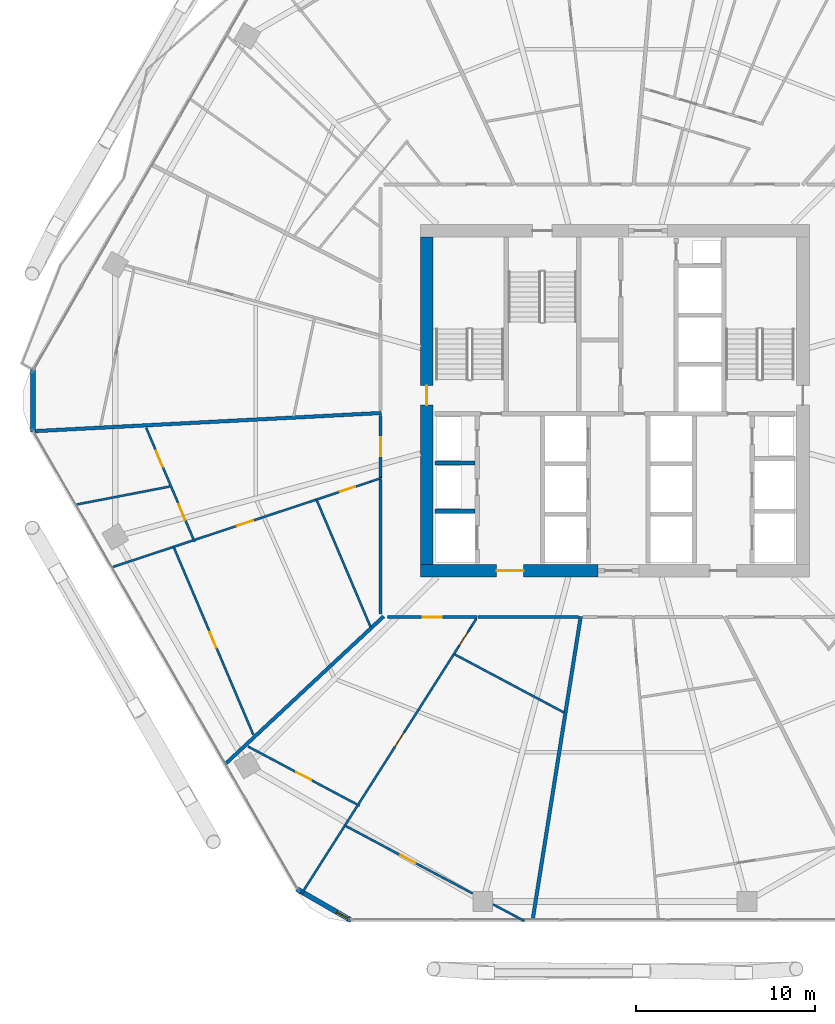
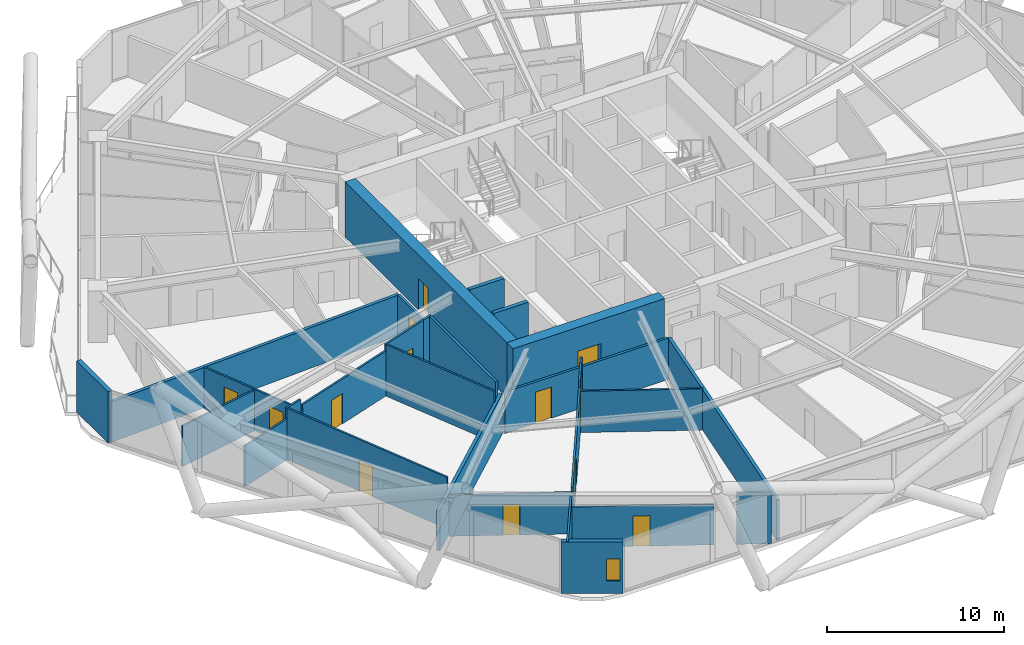
# One storey, part 27 of 34: 31 walls, 13 doors, 1 window, 14 openings.
"""IFC4 building model written with IfcOpenShell, lengths in metres."""

from ifc_helpers import new_model, si_unit, direction, frame, frame_2d, origin, place, context, subcontext, project, spatial, rectangle, extrude, material, layer, layer_set, type_object, element, fill, save


model = new_model("IFC4")

# Units and contexts
model_context = context("Model", 3, precision=1e-05, world=origin(), true_north=direction((0.0, 1.0)))
body_context = subcontext(model_context, "Body", "Model", "MODEL_VIEW")
ifc_project = project(units=[si_unit("LENGTHUNIT", "METRE"), si_unit("AREAUNIT", "SQUARE_METRE"), si_unit("VOLUMEUNIT", "CUBIC_METRE"), si_unit("PLANEANGLEUNIT", "RADIAN"), si_unit("MASSUNIT", "GRAM", prefix="KILO")], contexts=[model_context])

# Site, building, storey
site_placement = place(None, origin())
site = spatial("IfcSite", under=ifc_project, at=site_placement, CompositionType="ELEMENT")
building_placement = place(site_placement, origin())
building = spatial("IfcBuilding", under=site, at=building_placement, Name="Zuhravey Tower", CompositionType="ELEMENT")
storey_placement = place(building_placement, frame((0.0, 0.0, 130.39990234375)))
storey = spatial("IfcBuildingStorey", under=building, at=storey_placement, Name="L32", CompositionType="ELEMENT", Elevation=130.39990234375)

# Wall, opening, door
ifc_material_1 = material(Name="Concrete C60/75", Category="concrete")
ifc_layer_1 = layer(ifc_material_1, 0.699951171875)
ifc_layer_set_1 = layer_set([ifc_layer_1], Name="Concrete C60/75")
wall_type_1 = type_object("IfcWallType", Name="Core Shear Wall 700", PredefinedType="SHEAR", material=ifc_layer_set_1)
wall_1_placement = place(storey_placement, frame((25.14990234375, 22.5, 0.0), z_axis=(0.0, 0.0, 1.0), x_axis=(1.0, 0.0, 0.0)))
wall_1 = element("IfcWall", 1, at=wall_1_placement, inside=storey, type_object=wall_type_1, Name="L32 South-West Core Shear Wall CW70", PredefinedType="SHEAR", context=body_context, shape_type="SweptSolid", body=[
    extrude(rectangle(XDim=9.900146484375, YDim=0.699951171875, at=frame_2d((4.9501953125, 0.0))), origin(), (0.0, 0.0, 1.0), 3.800048828125),
])
opening_1_placement = place(wall_1_placement, frame((4.25, 0.0, 0.0)))
opening_1 = element("IfcOpeningElement", 2, at=opening_1_placement, cuts=wall_1, Name="Opening FFD1", PredefinedType="OPENING", context=body_context, shape_type="SweptSolid", body=[
    extrude(rectangle(XDim=1.5, YDim=2.14990234375, at=frame_2d((0.75, 1.074951171875))), frame((0.0, 0.362060546875, 0.0), z_axis=(0.0, -1.0, 0.0), x_axis=(1.0, 0.0, 0.0)), (0.0, 0.0, 1.0), 0.723876953125),
])
ifc_material_2 = material(Name="Galvanised fire-rated steel leaf", Category="steel")
door_type_1 = type_object("IfcDoorType", Name="Firefighting Lobby Double Door 1500x2150", OperationType="DOUBLE_DOOR_SINGLE_SWING", PredefinedType="DOOR", material=ifc_material_2)
door_1_placement = place(opening_1_placement, origin())
door_1 = element("IfcDoor", 3, at=door_1_placement, inside=storey, type_object=door_type_1, Name="L32 Firefighting Lobby West Door", OperationType="DOUBLE_DOOR_SINGLE_SWING", OverallHeight=2.14990234375, OverallWidth=1.5, PredefinedType="DOOR", context=body_context, shape_type="SweptSolid", body=[
    extrude(rectangle(XDim=1.5, YDim=2.14990234375, at=frame_2d((0.75, 1.074951171875))), frame((0.0, 0.02490234375, 0.0), z_axis=(0.0, -1.0, 0.0), x_axis=(1.0, 0.0, 0.0)), (0.0, 0.0, 1.0), 0.050048828125),
])
fill(opening_1, door_1)

wall_2_placement = place(storey_placement, frame((25.5, 22.85009765625, 0.0), z_axis=(0.0, 0.0, 1.0), x_axis=(0.0, 1.0, 0.0)))
wall_2 = element("IfcWall", 4, at=wall_2_placement, inside=storey, type_object=wall_type_1, Name="L32 West Core Shear Wall CW70", PredefinedType="SHEAR", context=body_context, shape_type="SweptSolid", body=[
    extrude(rectangle(XDim=18.2998046875, YDim=0.699951171875, at=frame_2d((9.14990234375, 0.0))), origin(), (0.0, 0.0, 1.0), 3.800048828125),
])
opening_2_placement = place(wall_2_placement, frame((8.89990234375, 0.0, 0.0)))
opening_2 = element("IfcOpeningElement", 5, at=opening_2_placement, cuts=wall_2, Name="Opening STD1", PredefinedType="OPENING", context=body_context, shape_type="SweptSolid", body=[
    extrude(rectangle(XDim=1.10009765625, YDim=2.14990234375, at=frame_2d((0.550048828125, 1.074951171875))), frame((0.0, 0.362060546875, 0.0), z_axis=(0.0, -1.0, 0.0), x_axis=(1.0, 0.0, 0.0)), (0.0, 0.0, 1.0), 0.723876953125),
])
door_type_2 = type_object("IfcDoorType", Name="Protected Stair Fire Door 1100x2150", OperationType="NOTDEFINED", PredefinedType="USERDEFINED", material=ifc_material_2)
door_2_placement = place(opening_2_placement, frame((1.10009765625, 0.0, 0.0), z_axis=(0.0, 0.0, 1.0), x_axis=(-1.0, 0.0, 0.0)))
door_2 = element("IfcDoor", 6, at=door_2_placement, inside=storey, type_object=door_type_2, Name="L32 Stair ST1 Door", ObjectType="EXITDOOR", OperationType="SINGLE_SWING_RIGHT", OverallHeight=2.14990234375, OverallWidth=1.10009765625, PredefinedType="USERDEFINED", context=body_context, shape_type="SweptSolid", body=[
    extrude(rectangle(XDim=1.10009765625, YDim=2.14990234375, at=frame_2d((0.550048828125, 1.074951171875))), frame((0.0, 0.02490234375, 0.0), z_axis=(0.0, -1.0, 0.0), x_axis=(1.0, 0.0, 0.0)), (0.0, 0.0, 1.0), 0.050048828125),
])
fill(opening_2, door_2)

ifc_material_3 = material(Name="Gypsum fire-rated stud partition")
ifc_layer_2 = layer(ifc_material_3, 0.159912109375)
ifc_layer_set_2 = layer_set([ifc_layer_2], Name="Gypsum fire-rated stud partition")
wall_type_2 = type_object("IfcWallType", Name="Corridor Fire Partition 160", PredefinedType="PARTITIONING", material=ifc_layer_set_2)
wall_3_placement = place(storey_placement, frame((22.919921875, 31.179931640625, 0.0), z_axis=(0.0, 0.0, 1.0), x_axis=(0.0, -1.0, 0.0)))
wall_3 = element("IfcWall", 7, at=wall_3_placement, inside=storey, type_object=wall_type_2, Name="L32 IW16 Partition 048", PredefinedType="PARTITIONING", context=body_context, shape_type="SweptSolid", body=[
    extrude(rectangle(XDim=3.48974609375, YDim=0.159912109375, at=frame_2d((1.744873046875, 0.0))), origin(), (0.0, 0.0, 1.0), 2.85009765625),
])
opening_3_placement = place(wall_3_placement, frame((1.219970703125, 0.0, 0.0)))
opening_3 = element("IfcOpeningElement", 8, at=opening_3_placement, cuts=wall_3, Name="Opening APD1", PredefinedType="OPENING", context=body_context, shape_type="SweptSolid", body=[
    extrude(rectangle(XDim=1.050048828125, YDim=2.14990234375, at=frame_2d((0.52490234375, 1.074951171875))), frame((0.0, 0.092041015625, 0.0), z_axis=(0.0, -1.0, 0.0), x_axis=(1.0, 0.0, 0.0)), (0.0, 0.0, 1.0), 0.183837890625),
])
ifc_material_4 = material(Name="Solid-core oak fire-rated leaf")
door_type_3 = type_object("IfcDoorType", Name="Apartment Entrance Fire Door 1050x2150", OperationType="NOTDEFINED", PredefinedType="DOOR", material=ifc_material_4)
door_3_placement = place(opening_3_placement, frame((1.050048828125, 0.0, 0.0), z_axis=(0.0, 0.0, 1.0), x_axis=(-1.0, 0.0, 0.0)))
door_3 = element("IfcDoor", 9, at=door_3_placement, inside=storey, type_object=door_type_3, Name="L32 Door 048.1", OperationType="SINGLE_SWING_RIGHT", OverallHeight=2.14990234375, OverallWidth=1.050048828125, PredefinedType="DOOR", context=body_context, shape_type="SweptSolid", body=[
    extrude(rectangle(XDim=1.050048828125, YDim=2.14990234375, at=frame_2d((0.52490234375, 1.074951171875))), frame((0.0, 0.02490234375, 0.0), z_axis=(0.0, -1.0, 0.0), x_axis=(1.0, 0.0, 0.0)), (0.0, 0.0, 1.0), 0.050048828125),
])
fill(opening_3, door_3)

wall_4_placement = place(storey_placement, frame((23.29931640625, 19.919921875, 0.0), z_axis=(0.0, 0.0, 1.0), x_axis=(1.0, 0.0, 0.0)))
wall_4 = element("IfcWall", 10, at=wall_4_placement, inside=storey, type_object=wall_type_2, Name="L32 IW16 Partition 054", PredefinedType="PARTITIONING", context=body_context, shape_type="SweptSolid", body=[
    extrude(rectangle(XDim=4.9990234375, YDim=0.159912109375, at=frame_2d((2.49951171875, 0.0))), origin(), (0.0, 0.0, 1.0), 2.85009765625),
])
opening_4_placement = place(wall_4_placement, frame((1.974609375, 0.0, 0.0)))
opening_4 = element("IfcOpeningElement", 11, at=opening_4_placement, cuts=wall_4, Name="Opening APD1", PredefinedType="OPENING", context=body_context, shape_type="SweptSolid", body=[
    extrude(rectangle(XDim=1.050048828125, YDim=2.14990234375, at=frame_2d((0.52490234375, 1.074951171875))), frame((0.0, 0.092041015625, 0.0), z_axis=(0.0, -1.0, 0.0), x_axis=(1.0, 0.0, 0.0)), (0.0, 0.0, 1.0), 0.183837890625),
])
door_4_placement = place(opening_4_placement, frame((1.050048828125, 0.0, 0.0), z_axis=(0.0, 0.0, 1.0), x_axis=(-1.0, 0.0, 0.0)))
door_4 = element("IfcDoor", 12, at=door_4_placement, inside=storey, type_object=door_type_3, Name="L32 Door 054.1", OperationType="SINGLE_SWING_LEFT", OverallHeight=2.14990234375, OverallWidth=1.050048828125, PredefinedType="DOOR", context=body_context, shape_type="SweptSolid", body=[
    extrude(rectangle(XDim=1.050048828125, YDim=2.14990234375, at=frame_2d((0.52490234375, 1.074951171875))), frame((0.0, 0.02490234375, 0.0), z_axis=(0.0, -1.0, 0.0), x_axis=(1.0, 0.0, 0.0)), (0.0, 0.0, 1.0), 0.050048828125),
])
fill(opening_4, door_4)

# Walls
wall_5_placement = place(storey_placement, frame((22.919921875, 27.597412109375, 0.0), z_axis=(0.0, 0.0, 1.0), x_axis=(0.0, -1.0, 0.0)))
element("IfcWall", 13, at=wall_5_placement, inside=storey, type_object=wall_type_2, Name="L32 IW16 Partition 137", PredefinedType="PARTITIONING", context=body_context, shape_type="SweptSolid", body=[
    extrude(rectangle(XDim=7.497314453125, YDim=0.159912109375, at=frame_2d((3.74853515625, 0.0))), origin(), (0.0, 0.0, 1.0), 3.550048828125),
])
wall_6_placement = place(storey_placement, frame((28.345703125, 19.919921875, 0.0), z_axis=(0.0, 0.0, 1.0), x_axis=(1.0, 0.0, 0.0)))
element("IfcWall", 14, at=wall_6_placement, inside=storey, type_object=wall_type_2, Name="L32 IW16 Partition 138", PredefinedType="PARTITIONING", context=body_context, shape_type="SweptSolid", body=[
    extrude(rectangle(XDim=5.612548828125, YDim=0.159912109375, at=frame_2d((2.80615234375, 0.0))), origin(), (0.0, 0.0, 1.0), 2.85009765625),
])

# Wall, opening, window
ifc_material_5 = material(Name="Precast concrete C40/50", Category="concrete")
ifc_layer_3 = layer(ifc_material_5, 0.280029296875)
ifc_layer_set_3 = layer_set([ifc_layer_3], Name="Precast concrete C40/50")
wall_type_3 = type_object("IfcWallType", Name="Crown Architectural Wall 280", PredefinedType="SOLIDWALL", material=ifc_layer_set_3)
wall_7_placement = place(storey_placement, frame((21.28271484375, 2.993896484375, 0.0), z_axis=(0.0, 0.0, 1.0), x_axis=(-0.866007452331, 0.500031091541, 0.0)))
wall_7 = element("IfcWall", 15, at=wall_7_placement, inside=storey, type_object=wall_type_3, Name="L32 Rounded Corner Closure Wall EW28-04", PredefinedType="SOLIDWALL", context=body_context, shape_type="SweptSolid", body=[
    extrude(rectangle(XDim=3.514892578125, YDim=0.280029296875, at=frame_2d((1.75732421875, 0.0))), origin(), (0.0, 0.0, 1.0), 3.550048828125),
])
opening_5_placement = place(wall_7_placement, frame((0.18212890625, 0.0, 0.85009765625)))
opening_5 = element("IfcOpeningElement", 16, at=opening_5_placement, cuts=wall_7, Name="Opening WN5", PredefinedType="OPENING", context=body_context, shape_type="SweptSolid", body=[
    extrude(rectangle(XDim=0.75, YDim=1.5, at=frame_2d((0.375, 0.75))), frame((0.0, 0.152099609375, 0.0), z_axis=(0.0, -1.0, 0.0), x_axis=(1.0, 0.0, 0.0)), (0.0, 0.0, 1.0), 0.303955078125),
])
ifc_material_6 = material(Name="Thermally broken aluminium and triple low-E glass", Category="aluminium")
window_type = type_object("IfcWindowType", Name="Residential Corner Casement Window 750x1500", PartitioningType="SINGLE_PANEL", PredefinedType="WINDOW", material=ifc_material_6)
window_placement = place(opening_5_placement, origin())
window = element("IfcWindow", 17, at=window_placement, inside=storey, type_object=window_type, Name="L32 Corner Casement Window WN5-04.1", OverallHeight=1.5, OverallWidth=0.75, PartitioningType="SINGLE_PANEL", PredefinedType="WINDOW", context=body_context, shape_type="SweptSolid", body=[
    extrude(rectangle(XDim=0.75, YDim=1.5, at=frame_2d((0.375, 0.75))), frame((0.0, 0.030029296875, 0.0), z_axis=(0.0, -1.0, 0.0), x_axis=(1.0, 0.0, 0.0)), (0.0, 0.0, 1.0), 0.06005859375),
])
fill(opening_5, window)

# Walls
wall_8_placement = place(storey_placement, frame((3.521484375, 30.242431640625, 0.0), z_axis=(0.0, 0.0, 1.0), x_axis=(0.0, 1.0, 0.0)))
element("IfcWall", 18, at=wall_8_placement, inside=storey, type_object=wall_type_3, Name="L32 Rounded Corner Closure Wall EW28-06", PredefinedType="SOLIDWALL", context=body_context, shape_type="SweptSolid", body=[
    extrude(rectangle(XDim=3.51513671875, YDim=0.280029296875, at=frame_2d((1.757568359375, 0.0))), origin(), (0.0, 0.0, 1.0), 3.550048828125),
])
ifc_material_7 = material(Name="Concrete C50/60", Category="concrete")
ifc_layer_4 = layer(ifc_material_7, 0.25)
ifc_layer_set_4 = layer_set([ifc_layer_4], Name="Concrete C50/60")
wall_type_4 = type_object("IfcWallType", Name="Firefighting Shaft & Stair Wall 250", PredefinedType="SOLIDWALL", material=ifc_layer_set_4)
for number, where, z_axis, x_axis, name in (
    (19, (25.949951171875, 25.824951171875, 0.0), (0.0, 0.0, 1.0), (1.0, 0.0, 0.0), "L32 FW25 Shaft Wall 009"),
    (20, (25.949951171875, 28.52490234375, 0.0), (0.0, 0.0, 1.0), (1.0, 0.0, 0.0), "L32 FW25 Shaft Wall 010"),
):
    element("IfcWall", number, at=place(storey_placement, frame(where, z_axis=z_axis, x_axis=x_axis)), inside=storey, type_object=wall_type_4, Name=name, PredefinedType="SOLIDWALL", context=body_context, shape_type="SweptSolid", body=[
        extrude(rectangle(XDim=2.25, YDim=0.25, at=frame_2d((1.125, 0.0))), origin(), (0.0, 0.0, 1.0), 3.800048828125),
    ])
ifc_material_8 = material(Name="Gypsum double-stud party assembly")
ifc_layer_5 = layer(ifc_material_8, 0.199951171875)
ifc_layer_set_5 = layer_set([ifc_layer_5], Name="Gypsum double-stud party assembly")
wall_type_5 = type_object("IfcWallType", Name="Inter-Tenancy Party Wall 200", PredefinedType="PARTITIONING", material=ifc_layer_set_5)
wall_9_placement = place(storey_placement, frame((22.9599609375, 31.316650390625, 0.0), z_axis=(0.0, 0.0, 1.0), x_axis=(-0.998629494248, -0.052336729143, 0.0)))
element("IfcWall", 21, at=wall_9_placement, inside=storey, type_object=wall_type_5, Name="L32 IW20 Partition 103", PredefinedType="PARTITIONING", context=body_context, shape_type="SweptSolid", body=[
    extrude(rectangle(XDim=19.44287109375, YDim=0.199951171875, at=frame_2d((9.721435546875, 0.0))), origin(), (0.0, 0.0, 1.0), 2.800048828125),
])
wall_10_placement = place(storey_placement, frame((23.08935546875, 19.960693359375, 0.0), z_axis=(0.0, 0.0, 1.0), x_axis=(-0.731358624603, -0.68199308077, 0.0)))
element("IfcWall", 22, at=wall_10_placement, inside=storey, type_object=wall_type_5, Name="L32 IW20 Partition 108", PredefinedType="PARTITIONING", context=body_context, shape_type="SweptSolid", body=[
    extrude(rectangle(XDim=12.067138671875, YDim=0.199951171875, at=frame_2d((6.03369140625, 0.0))), origin(), (0.0, 0.0, 1.0), 2.800048828125),
])
wall_11_placement = place(storey_placement, frame((34.093017578125, 19.9599609375, 0.0), z_axis=(0.0, 0.0, 1.0), x_axis=(-0.156438289387, -0.987687734871, 0.0)))
element("IfcWall", 23, at=wall_11_placement, inside=storey, type_object=wall_type_5, Name="L32 IW20 Partition 113", PredefinedType="PARTITIONING", context=body_context, shape_type="SweptSolid", body=[
    extrude(rectangle(XDim=17.12939453125, YDim=0.199951171875, at=frame_2d((8.564697265625, 0.0))), origin(), (0.0, 0.0, 1.0), 2.800048828125),
])

# Wall, openings, doors
ifc_material_9 = material(Name="Gypsum metal-stud partition")
ifc_layer_6 = layer(ifc_material_9, 0.1201171875)
ifc_layer_set_6 = layer_set([ifc_layer_6], Name="Gypsum metal-stud partition")
wall_type_6 = type_object("IfcWallType", Name="Unit Internal Partition 120", PredefinedType="PARTITIONING", material=ifc_layer_set_6)
wall_12_placement = place(storey_placement, frame((9.83203125, 30.499755859375, 0.0), z_axis=(0.0, 0.0, 1.0), x_axis=(0.390720983602, -0.920509159636, 0.0)))
wall_12 = element("IfcWall", 24, at=wall_12_placement, inside=storey, type_object=wall_type_6, Name="L32 IW12 Partition 043", PredefinedType="PARTITIONING", context=body_context, shape_type="SweptSolid", body=[
    extrude(rectangle(XDim=6.923828125, YDim=0.1201171875, at=frame_2d((3.4619140625, 0.0))), origin(), (0.0, 0.0, 1.0), 2.85009765625),
])
opening_6_placement = place(wall_12_placement, frame((1.42431640625, 0.0, 0.0)))
opening_6 = element("IfcOpeningElement", 25, at=opening_6_placement, cuts=wall_12, Name="Opening IND1", PredefinedType="OPENING", context=body_context, shape_type="SweptSolid", body=[
    extrude(rectangle(XDim=0.949951171875, YDim=2.10009765625, at=frame_2d((0.47509765625, 1.050048828125))), frame((0.0, 0.072021484375, 0.0), z_axis=(0.0, -1.0, 0.0), x_axis=(1.0, 0.0, 0.0)), (0.0, 0.0, 1.0), 0.14404296875),
])
opening_7_placement = place(wall_12_placement, frame((4.6435546875, 0.0, 0.0)))
opening_7 = element("IfcOpeningElement", 26, at=opening_7_placement, cuts=wall_12, Name="Opening IND1", PredefinedType="OPENING", context=body_context, shape_type="SweptSolid", body=[
    extrude(rectangle(XDim=0.949951171875, YDim=2.10009765625, at=frame_2d((0.47509765625, 1.050048828125))), frame((0.0, 0.072021484375, 0.0), z_axis=(0.0, -1.0, 0.0), x_axis=(1.0, 0.0, 0.0)), (0.0, 0.0, 1.0), 0.14404296875),
])
ifc_material_10 = material(Name="Painted engineered timber leaf", Category="wood")
door_type_4 = type_object("IfcDoorType", Name="Internal Room & Bedroom Door 950x2100", OperationType="NOTDEFINED", PredefinedType="DOOR", material=ifc_material_10)
door_5_placement = place(opening_6_placement, frame((0.949951171875, 0.0, 0.0), z_axis=(0.0, 0.0, 1.0), x_axis=(-1.0, 0.0, 0.0)))
door_5 = element("IfcDoor", 27, at=door_5_placement, inside=storey, type_object=door_type_4, Name="Apartment L32-06 Family Study Door", OperationType="SINGLE_SWING_LEFT", OverallHeight=2.10009765625, OverallWidth=0.949951171875, PredefinedType="DOOR", context=body_context, shape_type="SweptSolid", body=[
    extrude(rectangle(XDim=0.949951171875, YDim=2.10009765625, at=frame_2d((0.47509765625, 1.050048828125))), frame((0.0, 0.02490234375, 0.0), z_axis=(0.0, -1.0, 0.0), x_axis=(1.0, 0.0, 0.0)), (0.0, 0.0, 1.0), 0.050048828125),
])
fill(opening_6, door_5)
door_6_placement = place(opening_7_placement, frame((0.949951171875, 0.0, 0.0), z_axis=(0.0, 0.0, 1.0), x_axis=(-1.0, 0.0, 0.0)))
door_6 = element("IfcDoor", 28, at=door_6_placement, inside=storey, type_object=door_type_4, Name="Apartment L32-06 Dining Room Door", OperationType="SINGLE_SWING_RIGHT", OverallHeight=2.10009765625, OverallWidth=0.949951171875, PredefinedType="DOOR", context=body_context, shape_type="SweptSolid", body=[
    extrude(rectangle(XDim=0.949951171875, YDim=2.10009765625, at=frame_2d((0.47509765625, 1.050048828125))), frame((0.0, 0.02490234375, 0.0), z_axis=(0.0, -1.0, 0.0), x_axis=(1.0, 0.0, 0.0)), (0.0, 0.0, 1.0), 0.050048828125),
])
fill(opening_7, door_6)

# Wall, opening, door
wall_13_placement = place(storey_placement, frame((22.35009765625, 27.48046875, 0.0), z_axis=(0.0, 0.0, 1.0), x_axis=(-0.949315845657, -0.314323758543, 0.0)))
wall_13 = element("IfcWall", 29, at=wall_13_placement, inside=storey, type_object=wall_type_6, Name="L32 IW12 Partition 044", PredefinedType="PARTITIONING", context=body_context, shape_type="SweptSolid", body=[
    extrude(rectangle(XDim=3.19384765625, YDim=0.1201171875, at=frame_2d((1.596923828125, 0.0))), origin(), (0.0, 0.0, 1.0), 3.550048828125),
])
opening_8_placement = place(wall_13_placement, frame((0.891357421875, 0.0, 0.0)))
opening_8 = element("IfcOpeningElement", 30, at=opening_8_placement, cuts=wall_13, Name="Opening WCD1", PredefinedType="OPENING", context=body_context, shape_type="SweptSolid", body=[
    extrude(rectangle(XDim=0.89990234375, YDim=2.10009765625, at=frame_2d((0.449951171875, 1.050048828125))), frame((0.0, 0.072021484375, 0.0), z_axis=(0.0, -1.0, 0.0), x_axis=(1.0, 0.0, 0.0)), (0.0, 0.0, 1.0), 0.14404296875),
])
ifc_material_11 = material(Name="Moisture-resistant timber leaf", Category="wood")
door_type_5 = type_object("IfcDoorType", Name="Bathroom & WC Internal Door 900x2100", OperationType="NOTDEFINED", PredefinedType="DOOR", material=ifc_material_11)
door_7_placement = place(opening_8_placement, origin())
door_7 = element("IfcDoor", 31, at=door_7_placement, inside=storey, type_object=door_type_5, Name="Apartment L32-06 Bathroom Door", OperationType="SINGLE_SWING_LEFT", OverallHeight=2.10009765625, OverallWidth=0.89990234375, PredefinedType="DOOR", context=body_context, shape_type="SweptSolid", body=[
    extrude(rectangle(XDim=0.89990234375, YDim=2.10009765625, at=frame_2d((0.449951171875, 1.050048828125))), frame((0.0, 0.02490234375, 0.0), z_axis=(0.0, -1.0, 0.0), x_axis=(1.0, 0.0, 0.0)), (0.0, 0.0, 1.0), 0.050048828125),
])
fill(opening_8, door_7)

wall_14_placement = place(storey_placement, frame((19.318115234375, 26.4765625, 0.0), z_axis=(0.0, 0.0, 1.0), x_axis=(-0.949319529685, -0.314312631878, 0.0)))
wall_14 = element("IfcWall", 32, at=wall_14_placement, inside=storey, type_object=wall_type_6, Name="L32 IW12 Partition 045", PredefinedType="PARTITIONING", context=body_context, shape_type="SweptSolid", body=[
    extrude(rectangle(XDim=7.11572265625, YDim=0.1201171875, at=frame_2d((3.557861328125, 0.0))), origin(), (0.0, 0.0, 1.0), 3.10009765625),
])
opening_9_placement = place(wall_14_placement, frame((3.700927734375, 0.0, 0.0)))
opening_9 = element("IfcOpeningElement", 33, at=opening_9_placement, cuts=wall_14, Name="Opening IND1", PredefinedType="OPENING", context=body_context, shape_type="SweptSolid", body=[
    extrude(rectangle(XDim=0.949951171875, YDim=2.10009765625, at=frame_2d((0.47509765625, 1.050048828125))), frame((0.0, 0.072021484375, 0.0), z_axis=(0.0, -1.0, 0.0), x_axis=(1.0, 0.0, 0.0)), (0.0, 0.0, 1.0), 0.14404296875),
])
door_8_placement = place(opening_9_placement, origin())
door_8 = element("IfcDoor", 34, at=door_8_placement, inside=storey, type_object=door_type_4, Name="Apartment L32-06 Home Office Door", OperationType="SINGLE_SWING_RIGHT", OverallHeight=2.10009765625, OverallWidth=0.949951171875, PredefinedType="DOOR", context=body_context, shape_type="SweptSolid", body=[
    extrude(rectangle(XDim=0.949951171875, YDim=2.10009765625, at=frame_2d((0.47509765625, 1.050048828125))), frame((0.0, 0.02490234375, 0.0), z_axis=(0.0, -1.0, 0.0), x_axis=(1.0, 0.0, 0.0)), (0.0, 0.0, 1.0), 0.050048828125),
])
fill(opening_9, door_8)

# Wall
wall_15_placement = place(storey_placement, frame((12.433349609375, 24.197021484375, 0.0), z_axis=(0.0, 0.0, 1.0), x_axis=(-0.949318499062, -0.314315744656, 0.0)))
element("IfcWall", 35, at=wall_15_placement, inside=storey, type_object=wall_type_6, Name="L32 IW12 Partition 046", PredefinedType="PARTITIONING", context=body_context, shape_type="SweptSolid", body=[
    extrude(rectangle(XDim=1.149658203125, YDim=0.1201171875, at=frame_2d((0.57470703125, 0.0))), origin(), (0.0, 0.0, 1.0), 3.550048828125),
])

# Wall, opening, door
wall_16_placement = place(storey_placement, frame((11.392333984375, 23.780517578125, 0.0), z_axis=(0.0, 0.0, 1.0), x_axis=(0.390742140439, -0.920500179079, 0.0)))
wall_16 = element("IfcWall", 36, at=wall_16_placement, inside=storey, type_object=wall_type_6, Name="L32 IW12 Partition 047", PredefinedType="PARTITIONING", context=body_context, shape_type="SweptSolid", body=[
    extrude(rectangle(XDim=11.3134765625, YDim=0.1201171875, at=frame_2d((5.65673828125, 0.0))), origin(), (0.0, 0.0, 1.0), 3.550048828125),
])
opening_10_placement = place(wall_16_placement, frame((5.097412109375, 0.0, 0.0)))
opening_10 = element("IfcOpeningElement", 37, at=opening_10_placement, cuts=wall_16, Name="Opening IND1", PredefinedType="OPENING", context=body_context, shape_type="SweptSolid", body=[
    extrude(rectangle(XDim=0.949951171875, YDim=2.10009765625, at=frame_2d((0.47509765625, 1.050048828125))), frame((0.0, 0.072021484375, 0.0), z_axis=(0.0, -1.0, 0.0), x_axis=(1.0, 0.0, 0.0)), (0.0, 0.0, 1.0), 0.14404296875),
])
door_9_placement = place(opening_10_placement, frame((0.949951171875, 0.0, 0.0), z_axis=(0.0, 0.0, 1.0), x_axis=(-1.0, 0.0, 0.0)))
door_9 = element("IfcDoor", 38, at=door_9_placement, inside=storey, type_object=door_type_4, Name="Apartment L32-06 Bedroom 1 Door", OperationType="SINGLE_SWING_LEFT", OverallHeight=2.10009765625, OverallWidth=0.949951171875, PredefinedType="DOOR", context=body_context, shape_type="SweptSolid", body=[
    extrude(rectangle(XDim=0.949951171875, YDim=2.10009765625, at=frame_2d((0.47509765625, 1.050048828125))), frame((0.0, 0.02490234375, 0.0), z_axis=(0.0, -1.0, 0.0), x_axis=(1.0, 0.0, 0.0)), (0.0, 0.0, 1.0), 0.050048828125),
])
fill(opening_10, door_9)

wall_17_placement = place(storey_placement, frame((15.5185546875, 12.70166015625, 0.0), z_axis=(0.0, 0.0, 1.0), x_axis=(0.882962431702, -0.469443653917, 0.0)))
wall_17 = element("IfcWall", 39, at=wall_17_placement, inside=storey, type_object=wall_type_6, Name="L32 IW12 Partition 049", PredefinedType="PARTITIONING", context=body_context, shape_type="SweptSolid", body=[
    extrude(rectangle(XDim=7.0546875, YDim=0.1201171875, at=frame_2d((3.52734375, 0.0))), origin(), (0.0, 0.0, 1.0), 2.85009765625),
])
opening_11_placement = place(wall_17_placement, frame((3.05224609375, 0.0, 0.0)))
opening_11 = element("IfcOpeningElement", 40, at=opening_11_placement, cuts=wall_17, Name="Opening IND1", PredefinedType="OPENING", context=body_context, shape_type="SweptSolid", body=[
    extrude(rectangle(XDim=0.949951171875, YDim=2.10009765625, at=frame_2d((0.47509765625, 1.050048828125))), frame((0.0, 0.072021484375, 0.0), z_axis=(0.0, -1.0, 0.0), x_axis=(1.0, 0.0, 0.0)), (0.0, 0.0, 1.0), 0.14404296875),
])
door_10_placement = place(opening_11_placement, frame((0.949951171875, 0.0, 0.0), z_axis=(0.0, 0.0, 1.0), x_axis=(-1.0, 0.0, 0.0)))
door_10 = element("IfcDoor", 41, at=door_10_placement, inside=storey, type_object=door_type_4, Name="Apartment L32-07 Family Study Door", OperationType="SINGLE_SWING_LEFT", OverallHeight=2.10009765625, OverallWidth=0.949951171875, PredefinedType="DOOR", context=body_context, shape_type="SweptSolid", body=[
    extrude(rectangle(XDim=0.949951171875, YDim=2.10009765625, at=frame_2d((0.47509765625, 1.050048828125))), frame((0.0, 0.02490234375, 0.0), z_axis=(0.0, -1.0, 0.0), x_axis=(1.0, 0.0, 0.0)), (0.0, 0.0, 1.0), 0.050048828125),
])
fill(opening_11, door_10)

wall_18_placement = place(storey_placement, frame((27.959716796875, 19.35009765625, 0.0), z_axis=(0.0, 0.0, 1.0), x_axis=(-0.536397771872, -0.843965301615, 0.0)))
wall_18 = element("IfcWall", 42, at=wall_18_placement, inside=storey, type_object=wall_type_6, Name="L32 IW12 Partition 050", PredefinedType="PARTITIONING", context=body_context, shape_type="SweptSolid", body=[
    extrude(rectangle(XDim=1.785888671875, YDim=0.1201171875, at=frame_2d((0.89306640625, 0.0))), origin(), (0.0, 0.0, 1.0), 3.550048828125),
])
opening_12_placement = place(wall_18_placement, frame((0.300048828125, 0.0, 0.0)))
opening_12 = element("IfcOpeningElement", 43, at=opening_12_placement, cuts=wall_18, Name="Opening WCD1", PredefinedType="OPENING", context=body_context, shape_type="SweptSolid", body=[
    extrude(rectangle(XDim=0.89990234375, YDim=2.10009765625, at=frame_2d((0.449951171875, 1.050048828125))), frame((0.0, 0.072021484375, 0.0), z_axis=(0.0, -1.0, 0.0), x_axis=(1.0, 0.0, 0.0)), (0.0, 0.0, 1.0), 0.14404296875),
])
door_11_placement = place(opening_12_placement, origin())
door_11 = element("IfcDoor", 44, at=door_11_placement, inside=storey, type_object=door_type_5, Name="Apartment L32-07 Bathroom Door", OperationType="SINGLE_SWING_RIGHT", OverallHeight=2.10009765625, OverallWidth=0.89990234375, PredefinedType="DOOR", context=body_context, shape_type="SweptSolid", body=[
    extrude(rectangle(XDim=0.89990234375, YDim=2.10009765625, at=frame_2d((0.449951171875, 1.050048828125))), frame((0.0, 0.02490234375, 0.0), z_axis=(0.0, -1.0, 0.0), x_axis=(1.0, 0.0, 0.0)), (0.0, 0.0, 1.0), 0.050048828125),
])
fill(opening_12, door_11)

wall_19_placement = place(storey_placement, frame((27.001708984375, 17.8427734375, 0.0), z_axis=(0.0, 0.0, 1.0), x_axis=(-0.536410687373, -0.843957092791, 0.0)))
wall_19 = element("IfcWall", 45, at=wall_19_placement, inside=storey, type_object=wall_type_6, Name="L32 IW12 Partition 051", PredefinedType="PARTITIONING", context=body_context, shape_type="SweptSolid", body=[
    extrude(rectangle(XDim=9.891845703125, YDim=0.1201171875, at=frame_2d((4.94580078125, 0.0))), origin(), (0.0, 0.0, 1.0), 3.10009765625),
])
opening_13_placement = place(wall_19_placement, frame((5.173828125, 0.0, 0.0)))
opening_13 = element("IfcOpeningElement", 46, at=opening_13_placement, cuts=wall_19, Name="Opening IND1", PredefinedType="OPENING", context=body_context, shape_type="SweptSolid", body=[
    extrude(rectangle(XDim=0.949951171875, YDim=2.10009765625, at=frame_2d((0.47509765625, 1.050048828125))), frame((0.0, 0.072021484375, 0.0), z_axis=(0.0, -1.0, 0.0), x_axis=(1.0, 0.0, 0.0)), (0.0, 0.0, 1.0), 0.14404296875),
])
door_12_placement = place(opening_13_placement, origin())
door_12 = element("IfcDoor", 47, at=door_12_placement, inside=storey, type_object=door_type_4, Name="Apartment L32-07 Home Office Door", OperationType="SINGLE_SWING_LEFT", OverallHeight=2.10009765625, OverallWidth=0.949951171875, PredefinedType="DOOR", context=body_context, shape_type="SweptSolid", body=[
    extrude(rectangle(XDim=0.949951171875, YDim=2.10009765625, at=frame_2d((0.47509765625, 1.050048828125))), frame((0.0, 0.02490234375, 0.0), z_axis=(0.0, -1.0, 0.0), x_axis=(1.0, 0.0, 0.0)), (0.0, 0.0, 1.0), 0.050048828125),
])
fill(opening_13, door_12)

# Wall
wall_20_placement = place(storey_placement, frame((21.622314453125, 9.37939453125, 0.0), z_axis=(0.0, 0.0, 1.0), x_axis=(-0.536420442339, -0.843950892553, 0.0)))
element("IfcWall", 48, at=wall_20_placement, inside=storey, type_object=wall_type_6, Name="L32 IW12 Partition 052", PredefinedType="PARTITIONING", context=body_context, shape_type="SweptSolid", body=[
    extrude(rectangle(XDim=1.3193359375, YDim=0.1201171875, at=frame_2d((0.65966796875, 0.0))), origin(), (0.0, 0.0, 1.0), 2.800048828125),
])

# Wall, opening, door
wall_21_placement = place(storey_placement, frame((20.98828125, 8.2548828125, 0.0), z_axis=(0.0, 0.0, 1.0), x_axis=(0.882953852394, -0.469459790124, 0.0)))
wall_21 = element("IfcWall", 49, at=wall_21_placement, inside=storey, type_object=wall_type_6, Name="L32 IW12 Partition 053", PredefinedType="PARTITIONING", context=body_context, shape_type="SweptSolid", body=[
    extrude(rectangle(XDim=8.00927734375, YDim=0.1201171875, at=frame_2d((4.004638671875, 0.0))), origin(), (0.0, 0.0, 1.0), 2.800048828125),
])
opening_14_placement = place(wall_21_placement, frame((3.4453125, 0.0, 0.0)))
opening_14 = element("IfcOpeningElement", 50, at=opening_14_placement, cuts=wall_21, Name="Opening IND1", PredefinedType="OPENING", context=body_context, shape_type="SweptSolid", body=[
    extrude(rectangle(XDim=0.949951171875, YDim=2.10009765625, at=frame_2d((0.47509765625, 1.050048828125))), frame((0.0, 0.072021484375, 0.0), z_axis=(0.0, -1.0, 0.0), x_axis=(1.0, 0.0, 0.0)), (0.0, 0.0, 1.0), 0.14404296875),
])
door_13_placement = place(opening_14_placement, frame((0.949951171875, 0.0, 0.0), z_axis=(0.0, 0.0, 1.0), x_axis=(-1.0, 0.0, 0.0)))
door_13 = element("IfcDoor", 51, at=door_13_placement, inside=storey, type_object=door_type_4, Name="Apartment L32-07 Bedroom 1 Door", OperationType="SINGLE_SWING_RIGHT", OverallHeight=2.10009765625, OverallWidth=0.949951171875, PredefinedType="DOOR", context=body_context, shape_type="SweptSolid", body=[
    extrude(rectangle(XDim=0.949951171875, YDim=2.10009765625, at=frame_2d((0.47509765625, 1.050048828125))), frame((0.0, 0.02490234375, 0.0), z_axis=(0.0, -1.0, 0.0), x_axis=(1.0, 0.0, 0.0)), (0.0, 0.0, 1.0), 0.050048828125),
])
fill(opening_14, door_13)

# Walls
wall_22_placement = place(storey_placement, frame((11.154052734375, 27.2109375, 0.0), z_axis=(0.0, 0.0, 1.0), x_axis=(-0.981923696719, -0.189277187802, 0.0)))
element("IfcWall", 52, at=wall_22_placement, inside=storey, type_object=wall_type_6, Name="L32 IW12 Partition 104", PredefinedType="PARTITIONING", context=body_context, shape_type="SweptSolid", body=[
    extrude(rectangle(XDim=5.372314453125, YDim=0.1201171875, at=frame_2d((2.68603515625, 0.0))), origin(), (0.0, 0.0, 1.0), 2.800048828125),
])
wall_23_placement = place(storey_placement, frame((22.963623046875, 27.68359375, 0.0), z_axis=(0.0, 0.0, 1.0), x_axis=(-0.949323542327, -0.314300512223, 0.0)))
element("IfcWall", 53, at=wall_23_placement, inside=storey, type_object=wall_type_6, Name="L32 IW12 Partition 105", PredefinedType="PARTITIONING", context=body_context, shape_type="SweptSolid", body=[
    extrude(rectangle(XDim=0.646240234375, YDim=0.1201171875, at=frame_2d((0.3232421875, 0.0))), origin(), (0.0, 0.0, 1.0), 3.550048828125),
])
wall_24_placement = place(storey_placement, frame((11.342041015625, 23.835693359375, 0.0), z_axis=(0.0, 0.0, 1.0), x_axis=(-0.949318680093, -0.314315197894, 0.0)))
element("IfcWall", 54, at=wall_24_placement, inside=storey, type_object=wall_type_6, Name="L32 IW12 Partition 106", PredefinedType="PARTITIONING", context=body_context, shape_type="SweptSolid", body=[
    extrude(rectangle(XDim=3.60107421875, YDim=0.1201171875, at=frame_2d((1.800537109375, 0.0))), origin(), (0.0, 0.0, 1.0), 2.800048828125),
])
wall_25_placement = place(storey_placement, frame((19.368408203125, 26.42138671875, 0.0), z_axis=(0.0, 0.0, 1.0), x_axis=(0.390744575167, -0.92049914556, 0.0)))
element("IfcWall", 55, at=wall_25_placement, inside=storey, type_object=wall_type_6, Name="L32 IW12 Partition 107", PredefinedType="PARTITIONING", context=body_context, shape_type="SweptSolid", body=[
    extrude(rectangle(XDim=7.66259765625, YDim=0.1201171875, at=frame_2d((3.831298828125, 0.0))), origin(), (0.0, 0.0, 1.0), 3.550048828125),
])
wall_26_placement = place(storey_placement, frame((28.26611328125, 19.83203125, 0.0), z_axis=(0.0, 0.0, 1.0), x_axis=(-0.536515838244, -0.843890250752, 0.0)))
element("IfcWall", 56, at=wall_26_placement, inside=storey, type_object=wall_type_6, Name="L32 IW12 Partition 109", PredefinedType="PARTITIONING", context=body_context, shape_type="SweptSolid", body=[
    extrude(rectangle(XDim=0.571044921875, YDim=0.1201171875, at=frame_2d((0.28564453125, 0.0))), origin(), (0.0, 0.0, 1.0), 3.550048828125),
])
wall_27_placement = place(storey_placement, frame((20.91455078125, 8.265869140625, 0.0), z_axis=(0.0, 0.0, 1.0), x_axis=(-0.536393937119, -0.843967738851, 0.0)))
element("IfcWall", 57, at=wall_27_placement, inside=storey, type_object=wall_type_6, Name="L32 IW12 Partition 110", PredefinedType="PARTITIONING", context=body_context, shape_type="SweptSolid", body=[
    extrude(rectangle(XDim=4.4951171875, YDim=0.1201171875, at=frame_2d((2.24755859375, 0.0))), origin(), (0.0, 0.0, 1.0), 3.550048828125),
])
wall_28_placement = place(storey_placement, frame((27.0751953125, 17.831787109375, 0.0), z_axis=(0.0, 0.0, 1.0), x_axis=(0.882951718828, -0.469463802884, 0.0)))
element("IfcWall", 58, at=wall_28_placement, inside=storey, type_object=wall_type_6, Name="L32 IW12 Partition 111", PredefinedType="PARTITIONING", context=body_context, shape_type="SweptSolid", body=[
    extrude(rectangle(XDim=6.921630859375, YDim=0.1201171875, at=frame_2d((3.4609375, 0.0))), origin(), (0.0, 0.0, 1.0), 2.85009765625),
])
wall_29_placement = place(storey_placement, frame((29.199951171875, 3.888671875, 0.0), z_axis=(0.0, 0.0, 1.0), x_axis=(0.882920368379, -0.469522761006, 0.0)))
element("IfcWall", 59, at=wall_29_placement, inside=storey, type_object=wall_type_6, Name="L32 IW12 Partition 112", PredefinedType="PARTITIONING", context=body_context, shape_type="SweptSolid", body=[
    extrude(rectangle(XDim=1.974853515625, YDim=0.1201171875, at=frame_2d((0.9873046875, 0.0))), origin(), (0.0, 0.0, 1.0), 3.550048828125),
])

save(model, "model.ifc")
